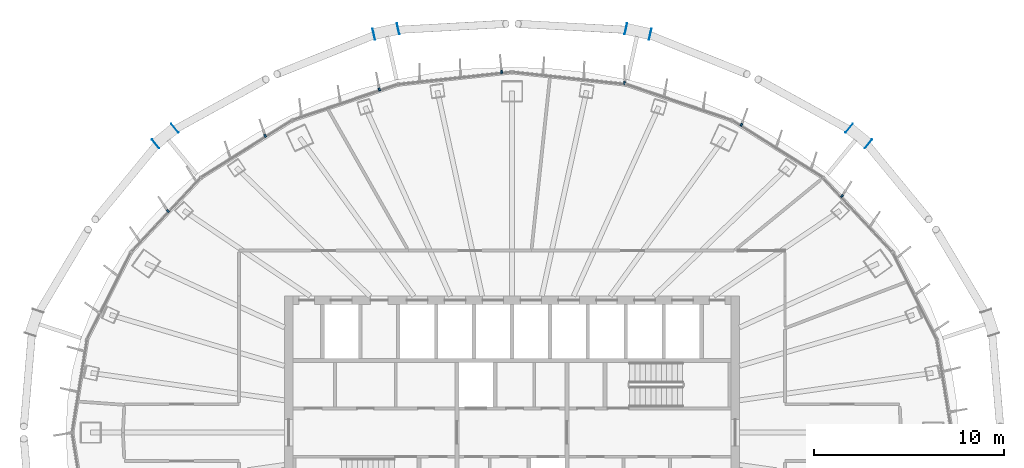
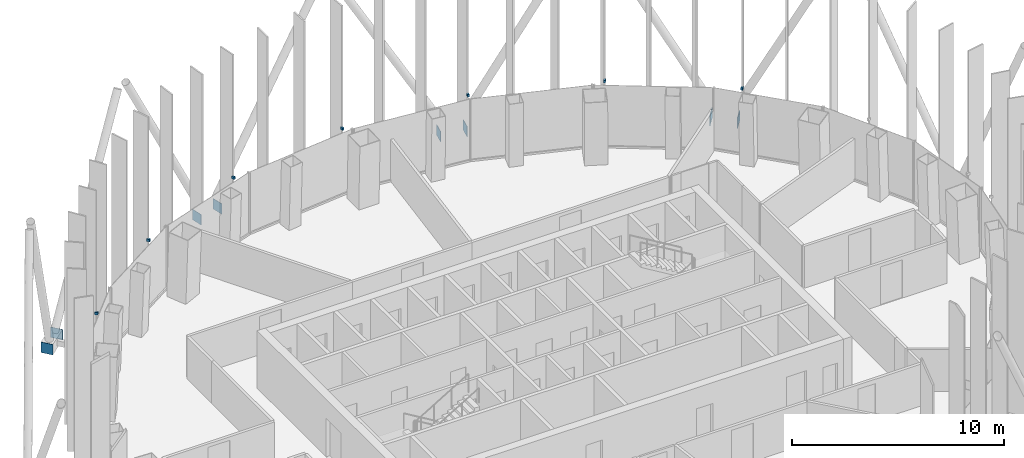
# One storey, part 15 of 19: 15 discrete accessories.
"""IFC4 building model written with IfcOpenShell, lengths in metres."""

from ifc_helpers import new_model, si_unit, direction, frame, origin, origin_2d, place, context, subcontext, project, spatial, rectangle, extrude, material, layer, layer_set, type_object, element, save


model = new_model("IFC4")

# Units and contexts
model_context = context("Model", 3, precision=1e-05, world=origin(), true_north=direction((0.0, 1.0)))
body_context = subcontext(model_context, "Body", "Model", "MODEL_VIEW")
ifc_project = project(units=[si_unit("LENGTHUNIT", "METRE"), si_unit("AREAUNIT", "SQUARE_METRE"), si_unit("VOLUMEUNIT", "CUBIC_METRE"), si_unit("PLANEANGLEUNIT", "RADIAN"), si_unit("MASSUNIT", "GRAM", prefix="KILO")], contexts=[model_context])

# Site, building, storey
site_placement = place(None, origin())
site = spatial("IfcSite", under=ifc_project, at=site_placement, CompositionType="ELEMENT")
building_placement = place(site_placement, origin())
building = spatial("IfcBuilding", under=site, at=building_placement, Name="Siaravel Broadcast Tower", CompositionType="ELEMENT")
storey_placement = place(building_placement, frame((0.0, 0.0, 179.300048828125)))
storey = spatial("IfcBuildingStorey", under=building, at=storey_placement, Name="L43", CompositionType="ELEMENT", Elevation=179.300048828125)

# Discrete accessories
ifc_material_1 = material(Name="Stainless steel 316", Category="steel")
discrete_accessory_type_1 = type_object("IfcDiscreteAccessoryType", Name="Stainless steel fin bracket", PredefinedType="USERDEFINED", material=ifc_material_1)
for number, where, z_axis, x_axis, name in (
    (1, (17.40234375, 12.4736328125, 3.68017578125), (0.0, 0.0, 1.0), (0.729805608, 0.683654718, 0.0), "Fin bracket L43-07"),
    (2, (12.097412109375, 16.229248046875, 3.68017578125), (0.0, 0.0, 1.0), (0.532149452, 0.846650436, 0.0), "Fin bracket L43-10"),
    (3, (5.94775390625, 18.43701171875, 3.68017578125), (0.0, 0.0, 1.0), (0.107216783, 0.994235667, 0.0), "Fin bracket L43-13"),
    (4, (-0.547607421875, 19.019287109375, 3.68017578125), (0.0, 0.0, 1.0), (-0.107216783, 0.994235667, 0.0), "Fin bracket L43-16"),
    (5, (-6.994384765625, 18.09765625, 3.68017578125), (0.0, 0.0, 1.0), (-0.321300635, 0.946977245, 0.0), "Fin bracket L43-19"),
    (6, (-13.01708984375, 15.651123046875, 3.68017578125), (0.0, 0.0, 1.0), (-0.532149452, 0.846650436, 0.0), "Fin bracket L43-22"),
    (7, (-18.14501953125, 11.680908203125, 3.68017578125), (0.0, 0.0, 1.0), (-0.729805608, 0.683654718, 0.0), "Fin bracket L43-25"),
):
    element("IfcDiscreteAccessory", number, at=place(storey_placement, frame(where, z_axis=z_axis, x_axis=x_axis)), inside=storey, type_object=discrete_accessory_type_1, Name=name, ObjectType="BRACKET", PredefinedType="USERDEFINED", context=body_context, shape_type="SweptSolid", body=[
        extrude(rectangle(XDim=0.159912109375, YDim=0.10009765625, at=origin_2d()), origin(), (0.0, 0.0, 1.0), 0.139892578125),
    ])
ifc_material_2 = material(Name="Steel S355", Category="steel")
ifc_layer = layer(ifc_material_2, 0.02001953125)
ifc_layer_set = layer_set([ifc_layer], Name="Steel S355")
discrete_accessory_type_2 = type_object("IfcDiscreteAccessoryType", Name="Steel end plate 20 mm", PredefinedType="USERDEFINED", material=ifc_layer_set)
for number, where, z_axis, x_axis, name in (
    (8, (17.77685546875, 16.055419921875, -0.5), (0.0, 0.0, 1.0), (-0.773604694, 0.633668508, 0.0), "End plate R18 station 09A"),
    (9, (18.792724609375, 15.22314453125, -0.5), (0.0, 0.0, 1.0), (-0.773604694, 0.633668508, 0.0), "End plate R18 station 09B"),
    (10, (6.005615234375, 21.29638671875, -0.5), (0.0, 0.0, 1.0), (-0.976750917, 0.214377344, 0.0), "End plate R18 station 15A"),
    (11, (7.28857421875, 21.0146484375, -0.5), (0.0, 0.0, 1.0), (-0.976750917, 0.214377344, 0.0), "End plate R18 station 15B"),
    (12, (-7.28857421875, 21.0146484375, -0.5), (0.0, 0.0, 1.0), (-0.976750917, -0.214377344, 0.0), "End plate R18 station 21A"),
    (13, (-6.005615234375, 21.29638671875, -0.5), (0.0, 0.0, 1.0), (-0.976750917, -0.214377344, 0.0), "End plate R18 station 21B"),
    (14, (-18.792724609375, 15.22314453125, -0.5), (0.0, 0.0, 1.0), (-0.773604694, -0.633668508, 0.0), "End plate R18 station 27A"),
    (15, (-17.77685546875, 16.055419921875, -0.5), (0.0, 0.0, 1.0), (-0.773604694, -0.633668508, 0.0), "End plate R18 station 27B"),
):
    element("IfcDiscreteAccessory", number, at=place(storey_placement, frame(where, z_axis=z_axis, x_axis=x_axis)), inside=storey, type_object=discrete_accessory_type_2, Name=name, ObjectType="END PLATE", PredefinedType="USERDEFINED", context=body_context, shape_type="SweptSolid", body=[
        extrude(rectangle(XDim=0.02001953125, YDim=0.60009765625, at=origin_2d()), origin(), (0.0, 0.0, 1.0), 0.60009765625),
    ])

save(model, "model.ifc")
